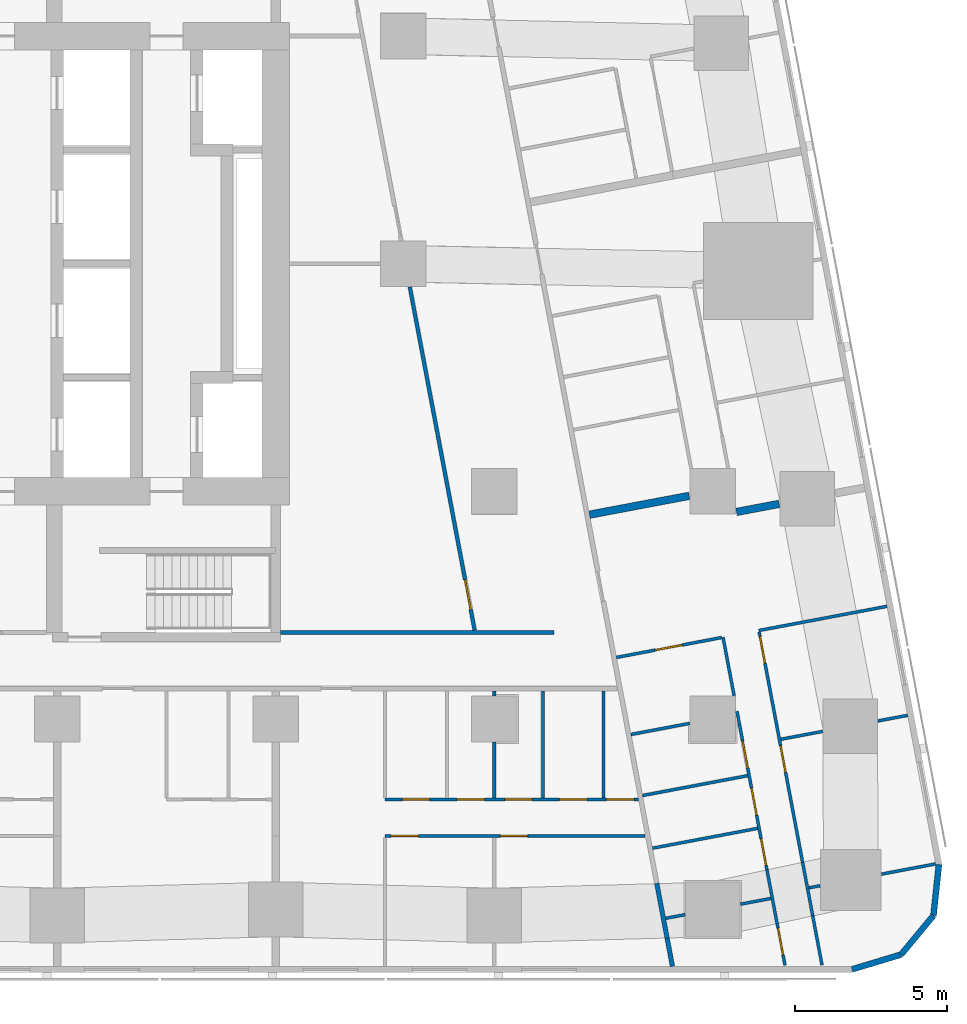
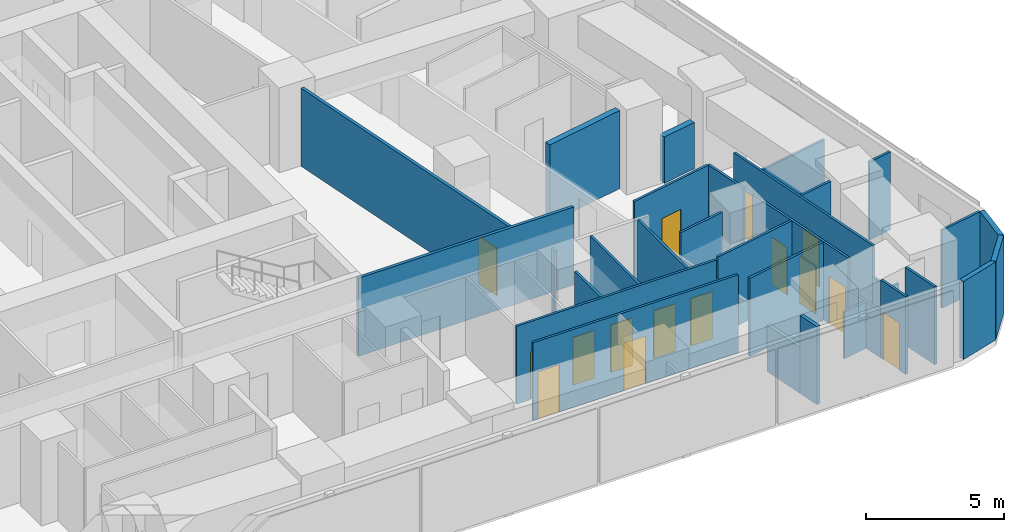
# One storey, part 6 of 15: 33 walls, 15 doors, 15 openings.
"""IFC4 building model written with IfcOpenShell, lengths in metres."""

from ifc_helpers import new_model, si_unit, direction, frame, frame_2d, origin, place, context, subcontext, project, spatial, rectangle, extrude, material, layer, layer_set, type_object, element, fill, save


model = new_model("IFC4")

# Units and contexts
model_context = context("Model", 3, precision=1e-05, world=origin(), true_north=direction((0.0, 1.0)))
body_context = subcontext(model_context, "Body", "Model", "MODEL_VIEW")
ifc_project = project(units=[si_unit("LENGTHUNIT", "METRE"), si_unit("AREAUNIT", "SQUARE_METRE"), si_unit("VOLUMEUNIT", "CUBIC_METRE"), si_unit("PLANEANGLEUNIT", "RADIAN"), si_unit("MASSUNIT", "GRAM", prefix="KILO")], contexts=[model_context])

# Site, building, storey
site_placement = place(None, origin())
site = spatial("IfcSite", under=ifc_project, at=site_placement, CompositionType="ELEMENT")
building_placement = place(site_placement, origin())
building = spatial("IfcBuilding", under=site, at=building_placement, Name="Sheger Commons Tower", CompositionType="ELEMENT")
storey_placement = place(building_placement, frame((0.0, 0.0, 184.550048828125)))
storey = spatial("IfcBuildingStorey", under=building, at=storey_placement, Name="L47", CompositionType="ELEMENT", Elevation=184.550048828125)

# Walls
ifc_material_1 = material(Name="Hollow concrete block masonry, skimmed both sides", Category="masonry")
ifc_layer_1 = layer(ifc_material_1, 0.14990234375)
ifc_layer_set_1 = layer_set([ifc_layer_1], Name="CORRIDOR WALL 150")
wall_type_1 = type_object("IfcWallType", Name="CORRIDOR WALL 150", PredefinedType="SOLIDWALL", material=ifc_layer_set_1)
wall_1_placement = place(storey_placement, frame((41.35498046875, 2.0859375, 0.0), z_axis=(0.0, 0.0, 1.0), x_axis=(0.185708872674, -0.982604811005, 0.0)))
element("IfcWall", 1, at=wall_1_placement, inside=storey, type_object=wall_type_1, Name="Corridor wall L47", PredefinedType="SOLIDWALL", context=body_context, shape_type="SweptSolid", body=[
    extrude(rectangle(XDim=1.84716796875, YDim=0.14990234375, at=frame_2d((0.923583984375, 0.0))), origin(), (0.0, 0.0, 1.0), 2.050048828125),
])
wall_2_placement = place(storey_placement, frame((41.697998046875, 0.27099609375, 0.0), z_axis=(0.0, 0.0, 1.0), x_axis=(0.185735329995, -0.982599810295, 0.0)))
element("IfcWall", 2, at=wall_2_placement, inside=storey, type_object=wall_type_1, Name="Corridor wall L47", PredefinedType="SOLIDWALL", context=body_context, shape_type="SweptSolid", body=[
    extrude(rectangle(XDim=0.937255859375, YDim=0.14990234375, at=frame_2d((0.46875, 0.0))), origin(), (0.0, 0.0, 1.0), 3.449951171875),
])
ifc_material_2 = material(Name="Dense concrete block masonry, plastered both sides (separating wall between flats)", Category="masonry")
ifc_layer_2 = layer(ifc_material_2, 0.25)
ifc_layer_set_2 = layer_set([ifc_layer_2], Name="DEMISING WALL 250")
wall_type_2 = type_object("IfcWallType", Name="DEMISING WALL 250", PredefinedType="SOLIDWALL", material=ifc_layer_set_2)
wall_3_placement = place(storey_placement, frame((45.389892578125, 14.587890625, 0.0), z_axis=(0.0, 0.0, 1.0), x_axis=(-0.982680951688, -0.18530555089, 0.0)))
element("IfcWall", 3, at=wall_3_placement, inside=storey, type_object=wall_type_2, Name="Demising wall L47", PredefinedType="SOLIDWALL", context=body_context, shape_type="SweptSolid", body=[
    extrude(rectangle(XDim=1.434814453125, YDim=0.25, at=frame_2d((0.71728515625, 0.0))), origin(), (0.0, 0.0, 1.0), 2.050048828125),
])
wall_4_placement = place(storey_placement, frame((42.426025390625, 14.85302734375, 0.0), z_axis=(0.0, 0.0, 1.0), x_axis=(-0.982633560103, -0.185556693654, 0.0)))
element("IfcWall", 4, at=wall_4_placement, inside=storey, type_object=wall_type_2, Name="Demising wall L47", PredefinedType="SOLIDWALL", context=body_context, shape_type="SweptSolid", body=[
    extrude(rectangle(XDim=3.34716796875, YDim=0.25, at=frame_2d((1.673583984375, 0.0))), origin(), (0.0, 0.0, 1.0), 3.449951171875),
])
ifc_material_3 = material(Name="Rendered concrete block masonry, dark grey", Category="masonry")
ifc_layer_3 = layer(ifc_material_3, 0.199951171875)
ifc_layer_set_3 = layer_set([ifc_layer_3], Name="FACADE WALL 200")
wall_type_3 = type_object("IfcWallType", Name="FACADE WALL 200", PredefinedType="SOLIDWALL", material=ifc_layer_set_3)
wall_5_placement = place(storey_placement, frame((47.791015625, -0.75, 0.0), z_axis=(0.0, 0.0, 1.0), x_axis=(0.957455232626, 0.288581838509, 0.0)))
element("IfcWall", 5, at=wall_5_placement, inside=storey, type_object=wall_type_3, Name="Facade wall L47", PredefinedType="SOLIDWALL", context=body_context, shape_type="SweptSolid", body=[
    extrude(rectangle(XDim=1.687744140625, YDim=0.199951171875, at=frame_2d((0.84375, 0.0))), origin(), (0.0, 0.0, 1.0), 3.449951171875),
])
wall_6_placement = place(storey_placement, frame((49.406982421875, -0.262939453125, 0.0), z_axis=(0.0, 0.0, 1.0), x_axis=(0.638042593423, 0.770001070764, 0.0)))
element("IfcWall", 6, at=wall_6_placement, inside=storey, type_object=wall_type_3, Name="Facade wall L47", PredefinedType="SOLIDWALL", context=body_context, shape_type="SweptSolid", body=[
    extrude(rectangle(XDim=1.672607421875, YDim=0.199951171875, at=frame_2d((0.83642578125, 0.0))), origin(), (0.0, 0.0, 1.0), 3.449951171875),
])
wall_7_placement = place(storey_placement, frame((50.47412109375, 1.02490234375, 0.0), z_axis=(0.0, 0.0, 1.0), x_axis=(0.106047815515, 0.994361031429, 0.0)))
element("IfcWall", 7, at=wall_7_placement, inside=storey, type_object=wall_type_3, Name="Facade wall L47", PredefinedType="SOLIDWALL", context=body_context, shape_type="SweptSolid", body=[
    extrude(rectangle(XDim=1.6875, YDim=0.199951171875, at=frame_2d((0.84375, 0.0))), origin(), (0.0, 0.0, 1.0), 3.449951171875),
])

# Wall, openings, doors
ifc_material_4 = material(Name="Gypsum board on steel studs", Category="steel")
ifc_layer_4 = layer(ifc_material_4, 0.10009765625)
ifc_layer_set_4 = layer_set([ifc_layer_4], Name="PARTITION 100")
wall_type_4 = type_object("IfcWallType", Name="PARTITION 100", PredefinedType="PARTITIONING", material=ifc_layer_set_4)
wall_8_placement = place(storey_placement, frame((40.97412109375, 3.64990234375, 0.0), z_axis=(0.0, 0.0, 1.0), x_axis=(-1.0, 0.0, 0.0)))
wall_8 = element("IfcWall", 8, at=wall_8_placement, inside=storey, type_object=wall_type_4, Name="Partition L47", PredefinedType="PARTITIONING", context=body_context, shape_type="SweptSolid", body=[
    extrude(rectangle(XDim=8.57421875, YDim=0.10009765625, at=frame_2d((4.287109375, 0.0))), origin(), (0.0, 0.0, 1.0), 3.449951171875),
])
opening_1_placement = place(wall_8_placement, frame((7.47412109375, 0.0, 0.0)))
opening_1 = element("IfcOpeningElement", 9, at=opening_1_placement, cuts=wall_8, Name="Opening D2", PredefinedType="OPENING", context=body_context, shape_type="SweptSolid", body=[
    extrude(rectangle(XDim=0.89990234375, YDim=2.10009765625, at=frame_2d((0.449951171875, 1.050048828125))), frame((0.0, 0.06005859375, 0.0), z_axis=(0.0, -1.0, 0.0), x_axis=(1.0, 0.0, 0.0)), (0.0, 0.0, 1.0), 0.1201171875),
])
opening_2_placement = place(wall_8_placement, frame((3.8740234375, 0.0, 0.0)))
opening_2 = element("IfcOpeningElement", 10, at=opening_2_placement, cuts=wall_8, Name="Opening D2", PredefinedType="OPENING", context=body_context, shape_type="SweptSolid", body=[
    extrude(rectangle(XDim=0.89990234375, YDim=2.10009765625, at=frame_2d((0.449951171875, 1.050048828125))), frame((0.0, 0.06005859375, 0.0), z_axis=(0.0, -1.0, 0.0), x_axis=(1.0, 0.0, 0.0)), (0.0, 0.0, 1.0), 0.1201171875),
])
ifc_material_5 = material(Name="Timber door set", Category="wood")
door_type_1 = type_object("IfcDoorType", Name="INTERNAL DOOR 900x2100", OperationType="NOTDEFINED", PredefinedType="DOOR", material=ifc_material_5)
door_1_placement = place(opening_1_placement, origin())
door_1 = element("IfcDoor", 11, at=door_1_placement, inside=storey, type_object=door_type_1, Name="Main bedroom door", OperationType="SINGLE_SWING_RIGHT", OverallHeight=2.10009765625, OverallWidth=0.89990234375, PredefinedType="DOOR", context=body_context, shape_type="SweptSolid", body=[
    extrude(rectangle(XDim=0.89990234375, YDim=2.10009765625, at=frame_2d((0.449951171875, 1.050048828125))), frame((0.0, 0.02490234375, 0.0), z_axis=(0.0, -1.0, 0.0), x_axis=(1.0, 0.0, 0.0)), (0.0, 0.0, 1.0), 0.050048828125),
])
fill(opening_1, door_1)
door_2_placement = place(opening_2_placement, origin())
door_2 = element("IfcDoor", 12, at=door_2_placement, inside=storey, type_object=door_type_1, Name="Bedroom 2 door", OperationType="SINGLE_SWING_RIGHT", OverallHeight=2.10009765625, OverallWidth=0.89990234375, PredefinedType="DOOR", context=body_context, shape_type="SweptSolid", body=[
    extrude(rectangle(XDim=0.89990234375, YDim=2.10009765625, at=frame_2d((0.449951171875, 1.050048828125))), frame((0.0, 0.02490234375, 0.0), z_axis=(0.0, -1.0, 0.0), x_axis=(1.0, 0.0, 0.0)), (0.0, 0.0, 1.0), 0.050048828125),
])
fill(opening_2, door_2)

wall_9_placement = place(storey_placement, frame((40.7470703125, 4.85009765625, 0.0), z_axis=(0.0, 0.0, 1.0), x_axis=(-1.0, 0.0, 0.0)))
wall_9 = element("IfcWall", 13, at=wall_9_placement, inside=storey, type_object=wall_type_4, Name="Partition L47", PredefinedType="PARTITIONING", context=body_context, shape_type="SweptSolid", body=[
    extrude(rectangle(XDim=8.34716796875, YDim=0.10009765625, at=frame_2d((4.173583984375, 0.0))), origin(), (0.0, 0.0, 1.0), 3.449951171875),
])
opening_3_placement = place(wall_9_placement, frame((6.8720703125, 0.0, 0.0)))
opening_3 = element("IfcOpeningElement", 14, at=opening_3_placement, cuts=wall_9, Name="Opening D2", PredefinedType="OPENING", context=body_context, shape_type="SweptSolid", body=[
    extrude(rectangle(XDim=0.89990234375, YDim=2.10009765625, at=frame_2d((0.449951171875, 1.050048828125))), frame((0.0, 0.06005859375, 0.0), z_axis=(0.0, -1.0, 0.0), x_axis=(1.0, 0.0, 0.0)), (0.0, 0.0, 1.0), 0.1201171875),
])
opening_4_placement = place(wall_9_placement, frame((3.4970703125, 0.0, 0.0)))
opening_4 = element("IfcOpeningElement", 15, at=opening_4_placement, cuts=wall_9, Name="Opening D2", PredefinedType="OPENING", context=body_context, shape_type="SweptSolid", body=[
    extrude(rectangle(XDim=0.89990234375, YDim=2.10009765625, at=frame_2d((0.449951171875, 1.050048828125))), frame((0.0, 0.06005859375, 0.0), z_axis=(0.0, -1.0, 0.0), x_axis=(1.0, 0.0, 0.0)), (0.0, 0.0, 1.0), 0.1201171875),
])
opening_5_placement = place(wall_9_placement, frame((0.14990234375, 0.0, 0.0)))
opening_5 = element("IfcOpeningElement", 16, at=opening_5_placement, cuts=wall_9, Name="Opening D2", PredefinedType="OPENING", context=body_context, shape_type="SweptSolid", body=[
    extrude(rectangle(XDim=0.89990234375, YDim=2.10009765625, at=frame_2d((0.449951171875, 1.050048828125))), frame((0.0, 0.06005859375, 0.0), z_axis=(0.0, -1.0, 0.0), x_axis=(1.0, 0.0, 0.0)), (0.0, 0.0, 1.0), 0.1201171875),
])
opening_6_placement = place(wall_9_placement, frame((5.072021484375, 0.0, 0.0)))
opening_6 = element("IfcOpeningElement", 17, at=opening_6_placement, cuts=wall_9, Name="Opening D2", PredefinedType="OPENING", context=body_context, shape_type="SweptSolid", body=[
    extrude(rectangle(XDim=0.89990234375, YDim=2.10009765625, at=frame_2d((0.449951171875, 1.050048828125))), frame((0.0, 0.06005859375, 0.0), z_axis=(0.0, -1.0, 0.0), x_axis=(1.0, 0.0, 0.0)), (0.0, 0.0, 1.0), 0.1201171875),
])
opening_7_placement = place(wall_9_placement, frame((1.697021484375, 0.0, 0.0)))
opening_7 = element("IfcOpeningElement", 18, at=opening_7_placement, cuts=wall_9, Name="Opening D2", PredefinedType="OPENING", context=body_context, shape_type="SweptSolid", body=[
    extrude(rectangle(XDim=0.89990234375, YDim=2.10009765625, at=frame_2d((0.449951171875, 1.050048828125))), frame((0.0, 0.06005859375, 0.0), z_axis=(0.0, -1.0, 0.0), x_axis=(1.0, 0.0, 0.0)), (0.0, 0.0, 1.0), 0.1201171875),
])
door_3_placement = place(opening_3_placement, origin())
door_3 = element("IfcDoor", 19, at=door_3_placement, inside=storey, type_object=door_type_1, Name="Bathroom door", OperationType="SINGLE_SWING_LEFT", OverallHeight=2.10009765625, OverallWidth=0.89990234375, PredefinedType="DOOR", context=body_context, shape_type="SweptSolid", body=[
    extrude(rectangle(XDim=0.89990234375, YDim=2.10009765625, at=frame_2d((0.449951171875, 1.050048828125))), frame((0.0, 0.02490234375, 0.0), z_axis=(0.0, -1.0, 0.0), x_axis=(1.0, 0.0, 0.0)), (0.0, 0.0, 1.0), 0.050048828125),
])
fill(opening_3, door_3)
door_4_placement = place(opening_4_placement, origin())
door_4 = element("IfcDoor", 20, at=door_4_placement, inside=storey, type_object=door_type_1, Name="Shower room door", OperationType="SINGLE_SWING_LEFT", OverallHeight=2.10009765625, OverallWidth=0.89990234375, PredefinedType="DOOR", context=body_context, shape_type="SweptSolid", body=[
    extrude(rectangle(XDim=0.89990234375, YDim=2.10009765625, at=frame_2d((0.449951171875, 1.050048828125))), frame((0.0, 0.02490234375, 0.0), z_axis=(0.0, -1.0, 0.0), x_axis=(1.0, 0.0, 0.0)), (0.0, 0.0, 1.0), 0.050048828125),
])
fill(opening_4, door_4)
door_5_placement = place(opening_5_placement, origin())
door_5 = element("IfcDoor", 21, at=door_5_placement, inside=storey, type_object=door_type_1, Name="Laundry room door", OperationType="SINGLE_SWING_RIGHT", OverallHeight=2.10009765625, OverallWidth=0.89990234375, PredefinedType="DOOR", context=body_context, shape_type="SweptSolid", body=[
    extrude(rectangle(XDim=0.89990234375, YDim=2.10009765625, at=frame_2d((0.449951171875, 1.050048828125))), frame((0.0, 0.02490234375, 0.0), z_axis=(0.0, -1.0, 0.0), x_axis=(1.0, 0.0, 0.0)), (0.0, 0.0, 1.0), 0.050048828125),
])
fill(opening_5, door_5)
door_6_placement = place(opening_6_placement, origin())
door_6 = element("IfcDoor", 22, at=door_6_placement, inside=storey, type_object=door_type_1, Name="Store door", OperationType="SINGLE_SWING_RIGHT", OverallHeight=2.10009765625, OverallWidth=0.89990234375, PredefinedType="DOOR", context=body_context, shape_type="SweptSolid", body=[
    extrude(rectangle(XDim=0.89990234375, YDim=2.10009765625, at=frame_2d((0.449951171875, 1.050048828125))), frame((0.0, 0.02490234375, 0.0), z_axis=(0.0, -1.0, 0.0), x_axis=(1.0, 0.0, 0.0)), (0.0, 0.0, 1.0), 0.050048828125),
])
fill(opening_6, door_6)
door_7_placement = place(opening_7_placement, origin())
door_7 = element("IfcDoor", 23, at=door_7_placement, inside=storey, type_object=door_type_1, Name="Store door", OperationType="SINGLE_SWING_RIGHT", OverallHeight=2.10009765625, OverallWidth=0.89990234375, PredefinedType="DOOR", context=body_context, shape_type="SweptSolid", body=[
    extrude(rectangle(XDim=0.89990234375, YDim=2.10009765625, at=frame_2d((0.449951171875, 1.050048828125))), frame((0.0, 0.02490234375, 0.0), z_axis=(0.0, -1.0, 0.0), x_axis=(1.0, 0.0, 0.0)), (0.0, 0.0, 1.0), 0.050048828125),
])
fill(opening_7, door_7)

# Walls
wall_10_placement = place(storey_placement, frame((36.0, 4.89990234375, 0.0), z_axis=(0.0, 0.0, 1.0), x_axis=(0.0, 1.0, 0.0)))
element("IfcWall", 24, at=wall_10_placement, inside=storey, type_object=wall_type_4, Name="Partition L47", PredefinedType="PARTITIONING", context=body_context, shape_type="SweptSolid", body=[
    extrude(rectangle(XDim=1.84912109375, YDim=0.10009765625, at=frame_2d((0.924560546875, 0.0))), origin(), (0.0, 0.0, 1.0), 3.449951171875),
])
wall_11_placement = place(storey_placement, frame((36.0, 8.2509765625, 0.0), z_axis=(0.0, 0.0, 1.0), x_axis=(0.0, 1.0, 0.0)))
element("IfcWall", 25, at=wall_11_placement, inside=storey, type_object=wall_type_4, Name="Partition L47", PredefinedType="PARTITIONING", context=body_context, shape_type="SweptSolid", body=[
    extrude(rectangle(XDim=0.174072265625, YDim=0.10009765625, at=frame_2d((0.0869140625, 0.0))), origin(), (0.0, 0.0, 1.0), 3.449951171875),
])
for number, where, z_axis, x_axis, name in (
    (26, (39.60009765625, 4.89990234375, 0.0), (0.0, 0.0, 1.0), (0.0, 1.0, 0.0), "Partition L47"),
    (27, (37.60009765625, 4.89990234375, 0.0), (0.0, 0.0, 1.0), (0.0, 1.0, 0.0), "Partition L47"),
):
    element("IfcWall", number, at=place(storey_placement, frame(where, z_axis=z_axis, x_axis=x_axis)), inside=storey, type_object=wall_type_4, Name=name, PredefinedType="PARTITIONING", context=body_context, shape_type="SweptSolid", body=[
        extrude(rectangle(XDim=3.525146484375, YDim=0.10009765625, at=frame_2d((1.7626953125, 0.0))), origin(), (0.0, 0.0, 1.0), 3.449951171875),
    ])

# Wall, openings, doors
wall_12_placement = place(storey_placement, frame((44.72705078125, 10.365966796875, 0.0), z_axis=(0.0, 0.0, 1.0), x_axis=(0.185578957652, -0.982629355595, 0.0)))
wall_12 = element("IfcWall", 28, at=wall_12_placement, inside=storey, type_object=wall_type_4, Name="Partition L47", PredefinedType="PARTITIONING", context=body_context, shape_type="SweptSolid", body=[
    extrude(rectangle(XDim=7.720947265625, YDim=0.10009765625, at=frame_2d((3.8603515625, 0.0))), origin(), (0.0, 0.0, 1.0), 3.449951171875),
])
opening_8_placement = place(wall_12_placement, frame((0.15087890625, 0.0, 0.0)))
opening_8 = element("IfcOpeningElement", 29, at=opening_8_placement, cuts=wall_12, Name="Opening D2", PredefinedType="OPENING", context=body_context, shape_type="SweptSolid", body=[
    extrude(rectangle(XDim=0.89990234375, YDim=2.10009765625, at=frame_2d((0.449951171875, 1.050048828125))), frame((0.0, 0.06005859375, 0.0), z_axis=(0.0, -1.0, 0.0), x_axis=(1.0, 0.0, 0.0)), (0.0, 0.0, 1.0), 0.1201171875),
])
opening_9_placement = place(wall_12_placement, frame((3.805908203125, 0.0, 0.0)))
opening_9 = element("IfcOpeningElement", 30, at=opening_9_placement, cuts=wall_12, Name="Opening D2", PredefinedType="OPENING", context=body_context, shape_type="SweptSolid", body=[
    extrude(rectangle(XDim=0.89990234375, YDim=2.10009765625, at=frame_2d((0.449951171875, 1.050048828125))), frame((0.0, 0.06005859375, 0.0), z_axis=(0.0, -1.0, 0.0), x_axis=(1.0, 0.0, 0.0)), (0.0, 0.0, 1.0), 0.1201171875),
])
door_8_placement = place(opening_8_placement, origin())
door_8 = element("IfcDoor", 31, at=door_8_placement, inside=storey, type_object=door_type_1, Name="Main bedroom door", OperationType="SINGLE_SWING_LEFT", OverallHeight=2.10009765625, OverallWidth=0.89990234375, PredefinedType="DOOR", context=body_context, shape_type="SweptSolid", body=[
    extrude(rectangle(XDim=0.89990234375, YDim=2.10009765625, at=frame_2d((0.449951171875, 1.050048828125))), frame((0.0, 0.02490234375, 0.0), z_axis=(0.0, -1.0, 0.0), x_axis=(1.0, 0.0, 0.0)), (0.0, 0.0, 1.0), 0.050048828125),
])
fill(opening_8, door_8)
door_9_placement = place(opening_9_placement, origin())
door_9 = element("IfcDoor", 32, at=door_9_placement, inside=storey, type_object=door_type_1, Name="Bedroom 2 door", OperationType="SINGLE_SWING_LEFT", OverallHeight=2.10009765625, OverallWidth=0.89990234375, PredefinedType="DOOR", context=body_context, shape_type="SweptSolid", body=[
    extrude(rectangle(XDim=0.89990234375, YDim=2.10009765625, at=frame_2d((0.449951171875, 1.050048828125))), frame((0.0, 0.02490234375, 0.0), z_axis=(0.0, -1.0, 0.0), x_axis=(1.0, 0.0, 0.0)), (0.0, 0.0, 1.0), 0.050048828125),
])
fill(opening_9, door_9)

# Walls
wall_13_placement = place(storey_placement, frame((46.159912109375, 2.779052734375, 0.0), z_axis=(0.0, 0.0, 1.0), x_axis=(0.18597295662, -0.982554863306, 0.0)))
element("IfcWall", 33, at=wall_13_placement, inside=storey, type_object=wall_type_4, Name="Partition L47", PredefinedType="PARTITIONING", context=body_context, shape_type="SweptSolid", body=[
    extrude(rectangle(XDim=1.802490234375, YDim=0.10009765625, at=frame_2d((0.9013671875, 0.0))), origin(), (0.0, 0.0, 1.0), 2.050048828125),
])
wall_14_placement = place(storey_placement, frame((46.4951171875, 1.008056640625, 0.0), z_axis=(0.0, 0.0, 1.0), x_axis=(0.185535059532, -0.982637645159, 0.0)))
element("IfcWall", 34, at=wall_14_placement, inside=storey, type_object=wall_type_4, Name="Partition L47", PredefinedType="PARTITIONING", context=body_context, shape_type="SweptSolid", body=[
    extrude(rectangle(XDim=1.6435546875, YDim=0.10009765625, at=frame_2d((0.82177734375, 0.0))), origin(), (0.0, 0.0, 1.0), 3.449951171875),
])
wall_15_placement = place(storey_placement, frame((43.5390625, 10.19189453125, 0.0), z_axis=(0.0, 0.0, 1.0), x_axis=(0.18564540894, -0.982616803306, 0.0)))
element("IfcWall", 35, at=wall_15_placement, inside=storey, type_object=wall_type_4, Name="Partition L47", PredefinedType="PARTITIONING", context=body_context, shape_type="SweptSolid", body=[
    extrude(rectangle(XDim=1.966064453125, YDim=0.10009765625, at=frame_2d((0.98291015625, 0.0))), origin(), (0.0, 0.0, 1.0), 3.449951171875),
])

# Wall, openings, doors
wall_16_placement = place(storey_placement, frame((43.9990234375, 7.7548828125, 0.0), z_axis=(0.0, 0.0, 1.0), x_axis=(0.185565904578, -0.982631820703, 0.0)))
wall_16 = element("IfcWall", 36, at=wall_16_placement, inside=storey, type_object=wall_type_4, Name="Partition L47", PredefinedType="PARTITIONING", context=body_context, shape_type="SweptSolid", body=[
    extrude(rectangle(XDim=5.319091796875, YDim=0.10009765625, at=frame_2d((2.65966796875, 0.0))), origin(), (0.0, 0.0, 1.0), 3.449951171875),
])
opening_10_placement = place(wall_16_placement, frame((1.0, 0.0, 0.0)))
opening_10 = element("IfcOpeningElement", 37, at=opening_10_placement, cuts=wall_16, Name="Opening D2", PredefinedType="OPENING", context=body_context, shape_type="SweptSolid", body=[
    extrude(rectangle(XDim=0.89990234375, YDim=2.10009765625, at=frame_2d((0.449951171875, 1.050048828125))), frame((0.0, 0.06005859375, 0.0), z_axis=(0.0, -1.0, 0.0), x_axis=(1.0, 0.0, 0.0)), (0.0, 0.0, 1.0), 0.1201171875),
])
opening_11_placement = place(wall_16_placement, frame((4.26904296875, 0.0, 0.0)))
opening_11 = element("IfcOpeningElement", 38, at=opening_11_placement, cuts=wall_16, Name="Opening D2", PredefinedType="OPENING", context=body_context, shape_type="SweptSolid", body=[
    extrude(rectangle(XDim=0.89990234375, YDim=2.10009765625, at=frame_2d((0.449951171875, 1.050048828125))), frame((0.0, 0.06005859375, 0.0), z_axis=(0.0, -1.0, 0.0), x_axis=(1.0, 0.0, 0.0)), (0.0, 0.0, 1.0), 0.1201171875),
])
opening_12_placement = place(wall_16_placement, frame((2.5849609375, 0.0, 0.0)))
opening_12 = element("IfcOpeningElement", 39, at=opening_12_placement, cuts=wall_16, Name="Opening D2", PredefinedType="OPENING", context=body_context, shape_type="SweptSolid", body=[
    extrude(rectangle(XDim=0.89990234375, YDim=2.10009765625, at=frame_2d((0.449951171875, 1.050048828125))), frame((0.0, 0.06005859375, 0.0), z_axis=(0.0, -1.0, 0.0), x_axis=(1.0, 0.0, 0.0)), (0.0, 0.0, 1.0), 0.1201171875),
])
door_10_placement = place(opening_10_placement, origin())
door_10 = element("IfcDoor", 40, at=door_10_placement, inside=storey, type_object=door_type_1, Name="Bathroom door", OperationType="SINGLE_SWING_LEFT", OverallHeight=2.10009765625, OverallWidth=0.89990234375, PredefinedType="DOOR", context=body_context, shape_type="SweptSolid", body=[
    extrude(rectangle(XDim=0.89990234375, YDim=2.10009765625, at=frame_2d((0.449951171875, 1.050048828125))), frame((0.0, 0.02490234375, 0.0), z_axis=(0.0, -1.0, 0.0), x_axis=(1.0, 0.0, 0.0)), (0.0, 0.0, 1.0), 0.050048828125),
])
fill(opening_10, door_10)
door_11_placement = place(opening_11_placement, origin())
door_11 = element("IfcDoor", 41, at=door_11_placement, inside=storey, type_object=door_type_1, Name="Laundry room door", OperationType="SINGLE_SWING_LEFT", OverallHeight=2.10009765625, OverallWidth=0.89990234375, PredefinedType="DOOR", context=body_context, shape_type="SweptSolid", body=[
    extrude(rectangle(XDim=0.89990234375, YDim=2.10009765625, at=frame_2d((0.449951171875, 1.050048828125))), frame((0.0, 0.02490234375, 0.0), z_axis=(0.0, -1.0, 0.0), x_axis=(1.0, 0.0, 0.0)), (0.0, 0.0, 1.0), 0.050048828125),
])
fill(opening_11, door_11)
door_12_placement = place(opening_12_placement, origin())
door_12 = element("IfcDoor", 42, at=door_12_placement, inside=storey, type_object=door_type_1, Name="Store door", OperationType="SINGLE_SWING_RIGHT", OverallHeight=2.10009765625, OverallWidth=0.89990234375, PredefinedType="DOOR", context=body_context, shape_type="SweptSolid", body=[
    extrude(rectangle(XDim=0.89990234375, YDim=2.10009765625, at=frame_2d((0.449951171875, 1.050048828125))), frame((0.0, 0.02490234375, 0.0), z_axis=(0.0, -1.0, 0.0), x_axis=(1.0, 0.0, 0.0)), (0.0, 0.0, 1.0), 0.050048828125),
])
fill(opening_12, door_12)

# Wall
wall_17_placement = place(storey_placement, frame((44.986083984375, 2.528076171875, 0.0), z_axis=(0.0, 0.0, 1.0), x_axis=(0.18584218627, -0.982579605835, 0.0)))
element("IfcWall", 43, at=wall_17_placement, inside=storey, type_object=wall_type_4, Name="Partition L47", PredefinedType="PARTITIONING", context=body_context, shape_type="SweptSolid", body=[
    extrude(rectangle(XDim=1.802490234375, YDim=0.10009765625, at=frame_2d((0.9013671875, 0.0))), origin(), (0.0, 0.0, 1.0), 2.050048828125),
])

# Wall, opening, door
wall_18_placement = place(storey_placement, frame((45.321044921875, 0.757080078125, 0.0), z_axis=(0.0, 0.0, 1.0), x_axis=(0.185640562635, -0.982617718904, 0.0)))
wall_18 = element("IfcWall", 44, at=wall_18_placement, inside=storey, type_object=wall_type_4, Name="Partition L47", PredefinedType="PARTITIONING", context=body_context, shape_type="SweptSolid", body=[
    extrude(rectangle(XDim=1.395263671875, YDim=0.10009765625, at=frame_2d((0.69775390625, 0.0))), origin(), (0.0, 0.0, 1.0), 3.449951171875),
])
opening_13_placement = place(wall_18_placement, frame((0.14990234375, 0.0, 0.0)))
opening_13 = element("IfcOpeningElement", 45, at=opening_13_placement, cuts=wall_18, Name="Opening D2", PredefinedType="OPENING", context=body_context, shape_type="SweptSolid", body=[
    extrude(rectangle(XDim=0.89990234375, YDim=2.10009765625, at=frame_2d((0.449951171875, 1.050048828125))), frame((0.0, 0.06005859375, 0.0), z_axis=(0.0, -1.0, 0.0), x_axis=(1.0, 0.0, 0.0)), (0.0, 0.0, 1.0), 0.1201171875),
])
door_13_placement = place(opening_13_placement, origin())
door_13 = element("IfcDoor", 46, at=door_13_placement, inside=storey, type_object=door_type_1, Name="Laundry room door", OperationType="SINGLE_SWING_RIGHT", OverallHeight=2.10009765625, OverallWidth=0.89990234375, PredefinedType="DOOR", context=body_context, shape_type="SweptSolid", body=[
    extrude(rectangle(XDim=0.89990234375, YDim=2.10009765625, at=frame_2d((0.449951171875, 1.050048828125))), frame((0.0, 0.02490234375, 0.0), z_axis=(0.0, -1.0, 0.0), x_axis=(1.0, 0.0, 0.0)), (0.0, 0.0, 1.0), 0.050048828125),
])
fill(opening_13, door_13)

# Walls
wall_19_placement = place(storey_placement, frame((48.943115234375, 11.212890625, 0.0), z_axis=(0.0, 0.0, 1.0), x_axis=(-0.982633535512, -0.185556823879, 0.0)))
element("IfcWall", 47, at=wall_19_placement, inside=storey, type_object=wall_type_4, Name="Partition L47", PredefinedType="PARTITIONING", context=body_context, shape_type="SweptSolid", body=[
    extrude(rectangle(XDim=4.2998046875, YDim=0.10009765625, at=frame_2d((2.14990234375, 0.0))), origin(), (0.0, 0.0, 1.0), 2.050048828125),
])
wall_20_placement = place(storey_placement, frame((49.6220703125, 7.6201171875, 0.0), z_axis=(0.0, 0.0, 1.0), x_axis=(-0.982708646087, -0.185158626332, 0.0)))
element("IfcWall", 48, at=wall_20_placement, inside=storey, type_object=wall_type_4, Name="Partition L47", PredefinedType="PARTITIONING", context=body_context, shape_type="SweptSolid", body=[
    extrude(rectangle(XDim=0.99951171875, YDim=0.10009765625, at=frame_2d((0.499755859375, 0.0))), origin(), (0.0, 0.0, 1.0), 3.449951171875),
])
wall_21_placement = place(storey_placement, frame((46.820068359375, 7.091064453125, 0.0), z_axis=(0.0, 0.0, 1.0), x_axis=(-0.982689853246, -0.185258339427, 0.0)))
element("IfcWall", 49, at=wall_21_placement, inside=storey, type_object=wall_type_4, Name="Partition L47", PredefinedType="PARTITIONING", context=body_context, shape_type="SweptSolid", body=[
    extrude(rectangle(XDim=1.398193359375, YDim=0.10009765625, at=frame_2d((0.69921875, 0.0))), origin(), (0.0, 0.0, 1.0), 3.449951171875),
])
wall_22_placement = place(storey_placement, frame((50.547119140625, 2.72607421875, 0.0), z_axis=(0.0, 0.0, 1.0), x_axis=(-0.982603988143, -0.185713226471, 0.0)))
element("IfcWall", 50, at=wall_22_placement, inside=storey, type_object=wall_type_4, Name="Partition L47", PredefinedType="PARTITIONING", context=body_context, shape_type="SweptSolid", body=[
    extrude(rectangle(XDim=1.82080078125, YDim=0.10009765625, at=frame_2d((0.910400390625, 0.0))), origin(), (0.0, 0.0, 1.0), 3.449951171875),
])
wall_23_placement = place(storey_placement, frame((46.738037109375, 2.006103515625, 0.0), z_axis=(0.0, 0.0, 1.0), x_axis=(-0.982820466874, -0.184564161994, 0.0)))
element("IfcWall", 51, at=wall_23_placement, inside=storey, type_object=wall_type_4, Name="Partition L47", PredefinedType="PARTITIONING", context=body_context, shape_type="SweptSolid", body=[
    extrude(rectangle(XDim=0.374267578125, YDim=0.10009765625, at=frame_2d((0.18701171875, 0.0))), origin(), (0.0, 0.0, 1.0), 2.050048828125),
])

# Wall, opening, door
wall_24_placement = place(storey_placement, frame((43.489990234375, 10.18310546875, 0.0), z_axis=(0.0, 0.0, 1.0), x_axis=(-0.982588017646, -0.185797706064, 0.0)))
wall_24 = element("IfcWall", 52, at=wall_24_placement, inside=storey, type_object=wall_type_4, Name="Partition L47", PredefinedType="PARTITIONING", context=body_context, shape_type="SweptSolid", body=[
    extrude(rectangle(XDim=3.525390625, YDim=0.10009765625, at=frame_2d((1.7626953125, 0.0))), origin(), (0.0, 0.0, 1.0), 3.449951171875),
])
opening_14_placement = place(wall_24_placement, frame((1.324951171875, 0.0, 0.0)))
opening_14 = element("IfcOpeningElement", 53, at=opening_14_placement, cuts=wall_24, Name="Opening D2", PredefinedType="OPENING", context=body_context, shape_type="SweptSolid", body=[
    extrude(rectangle(XDim=0.89990234375, YDim=2.10009765625, at=frame_2d((0.449951171875, 1.050048828125))), frame((0.0, 0.06005859375, 0.0), z_axis=(0.0, -1.0, 0.0), x_axis=(1.0, 0.0, 0.0)), (0.0, 0.0, 1.0), 0.1201171875),
])
door_14_placement = place(opening_14_placement, origin())
door_14 = element("IfcDoor", 54, at=door_14_placement, inside=storey, type_object=door_type_1, Name="Store door", OperationType="SINGLE_SWING_RIGHT", OverallHeight=2.10009765625, OverallWidth=0.89990234375, PredefinedType="DOOR", context=body_context, shape_type="SweptSolid", body=[
    extrude(rectangle(XDim=0.89990234375, YDim=2.10009765625, at=frame_2d((0.449951171875, 1.050048828125))), frame((0.0, 0.02490234375, 0.0), z_axis=(0.0, -1.0, 0.0), x_axis=(1.0, 0.0, 0.0)), (0.0, 0.0, 1.0), 0.050048828125),
])
fill(opening_14, door_14)

# Walls
wall_25_placement = place(storey_placement, frame((42.43994140625, 7.35693359375, 0.0), z_axis=(0.0, 0.0, 1.0), x_axis=(-0.982581871375, -0.185830207569, 0.0)))
element("IfcWall", 55, at=wall_25_placement, inside=storey, type_object=wall_type_4, Name="Partition L47", PredefinedType="PARTITIONING", context=body_context, shape_type="SweptSolid", body=[
    extrude(rectangle(XDim=1.969482421875, YDim=0.10009765625, at=frame_2d((0.98486328125, 0.0))), origin(), (0.0, 0.0, 1.0), 3.449951171875),
])
wall_26_placement = place(storey_placement, frame((45.114013671875, 1.5869140625, 0.0), z_axis=(0.0, 0.0, 1.0), x_axis=(-0.982567886437, -0.185904138047, 0.0)))
element("IfcWall", 56, at=wall_26_placement, inside=storey, type_object=wall_type_4, Name="Partition L47", PredefinedType="PARTITIONING", context=body_context, shape_type="SweptSolid", body=[
    extrude(rectangle(XDim=1.021728515625, YDim=0.10009765625, at=frame_2d((0.5107421875, 0.0))), origin(), (0.0, 0.0, 1.0), 2.050048828125),
])
wall_27_placement = place(storey_placement, frame((42.2900390625, 1.052978515625, 0.0), z_axis=(0.0, 0.0, 1.0), x_axis=(-0.982573945355, -0.185872111707, 0.0)))
element("IfcWall", 57, at=wall_27_placement, inside=storey, type_object=wall_type_4, Name="Partition L47", PredefinedType="PARTITIONING", context=body_context, shape_type="SweptSolid", body=[
    extrude(rectangle(XDim=0.651611328125, YDim=0.10009765625, at=frame_2d((0.32568359375, 0.0))), origin(), (0.0, 0.0, 1.0), 2.050048828125),
])
for number, where, z_axis, x_axis, name in (
    (58, (44.677001953125, 3.89599609375, 0.0), (0.0, 0.0, 1.0), (-0.982638553676, -0.185530247748, 0.0), "Partition L47"),
    (59, (44.35009765625, 5.631103515625, 0.0), (0.0, 0.0, 1.0), (-0.982638553676, -0.185530247748, 0.0), "Partition L47"),
):
    element("IfcWall", number, at=place(storey_placement, frame(where, z_axis=z_axis, x_axis=x_axis)), inside=storey, type_object=wall_type_4, Name=name, PredefinedType="PARTITIONING", context=body_context, shape_type="SweptSolid", body=[
        extrude(rectangle(XDim=3.525390625, YDim=0.10009765625, at=frame_2d((1.7626953125, 0.0))), origin(), (0.0, 0.0, 1.0), 3.449951171875),
    ])
ifc_material_6 = material(Name="Gypsum board on steel studs, two layers each side, fire rated", Category="steel")
ifc_layer_5 = layer(ifc_material_6, 0.125)
ifc_layer_set_5 = layer_set([ifc_layer_5], Name="SERVICE WALL 125")
wall_type_5 = type_object("IfcWallType", Name="SERVICE WALL 125", PredefinedType="PARTITIONING", material=ifc_layer_set_5)
wall_28_placement = place(storey_placement, frame((28.949951171875, 10.35009765625, 0.0), z_axis=(0.0, 0.0, 1.0), x_axis=(1.0, 0.0, 0.0)))
element("IfcWall", 60, at=wall_28_placement, inside=storey, type_object=wall_type_5, Name="Service room wall L47", PredefinedType="PARTITIONING", context=body_context, shape_type="SweptSolid", body=[
    extrude(rectangle(XDim=9.012939453125, YDim=0.125, at=frame_2d((4.50634765625, 0.0))), origin(), (0.0, 0.0, 1.0), 3.449951171875),
])

# Wall, opening, door
wall_29_placement = place(storey_placement, frame((35.35400390625, 10.424072265625, 0.0), z_axis=(0.0, 0.0, 1.0), x_axis=(-0.185612234763, 0.982623070311, 0.0)))
wall_29 = element("IfcWall", 61, at=wall_29_placement, inside=storey, type_object=wall_type_5, Name="Service room wall L47", PredefinedType="PARTITIONING", context=body_context, shape_type="SweptSolid", body=[
    extrude(rectangle(XDim=11.512939453125, YDim=0.125, at=frame_2d((5.75634765625, 0.0))), origin(), (0.0, 0.0, 1.0), 3.449951171875),
])
opening_15_placement = place(wall_29_placement, frame((0.697021484375, 0.0, 0.0)))
opening_15 = element("IfcOpeningElement", 62, at=opening_15_placement, cuts=wall_29, Name="Opening D4", PredefinedType="OPENING", context=body_context, shape_type="SweptSolid", body=[
    extrude(rectangle(XDim=1.0, YDim=2.10009765625, at=frame_2d((0.5, 1.050048828125))), frame((0.0, 0.072509765625, 0.0), z_axis=(0.0, -1.0, 0.0), x_axis=(1.0, 0.0, 0.0)), (0.0, 0.0, 1.0), 0.14501953125),
])
ifc_material_7 = material(Name="Steel door set, fire rated", Category="steel")
door_type_2 = type_object("IfcDoorType", Name="SERVICE DOOR 1000x2100", OperationType="NOTDEFINED", PredefinedType="DOOR", material=ifc_material_7)
door_15_placement = place(opening_15_placement, origin())
door_15 = element("IfcDoor", 63, at=door_15_placement, inside=storey, type_object=door_type_2, Name="Children's play room door", OperationType="SINGLE_SWING_LEFT", OverallHeight=2.10009765625, OverallWidth=1.0, PredefinedType="DOOR", context=body_context, shape_type="SweptSolid", body=[
    extrude(rectangle(XDim=1.0, YDim=2.10009765625, at=frame_2d((0.5, 1.050048828125))), frame((0.0, 0.02490234375, 0.0), z_axis=(0.0, -1.0, 0.0), x_axis=(1.0, 0.0, 0.0)), (0.0, 0.0, 1.0), 0.050048828125),
])
fill(opening_15, door_15)

save(model, "model.ifc")
